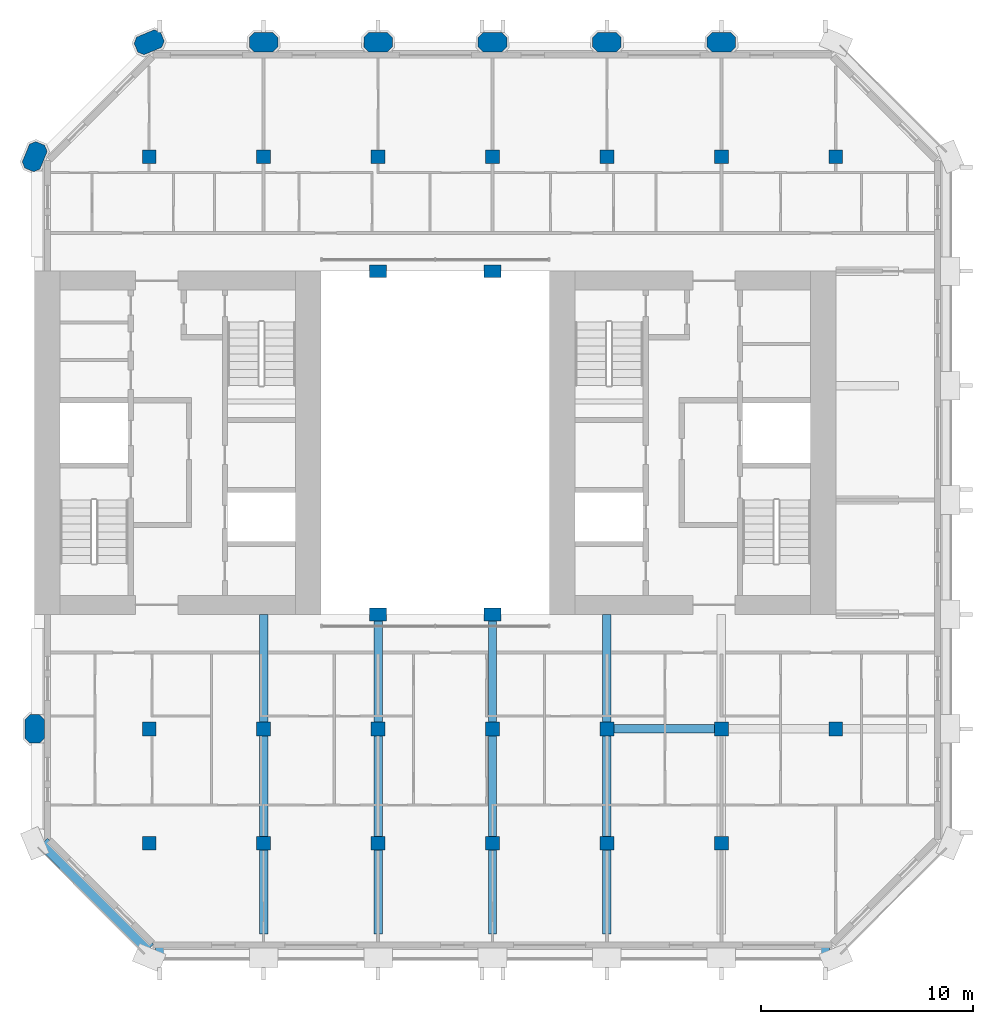
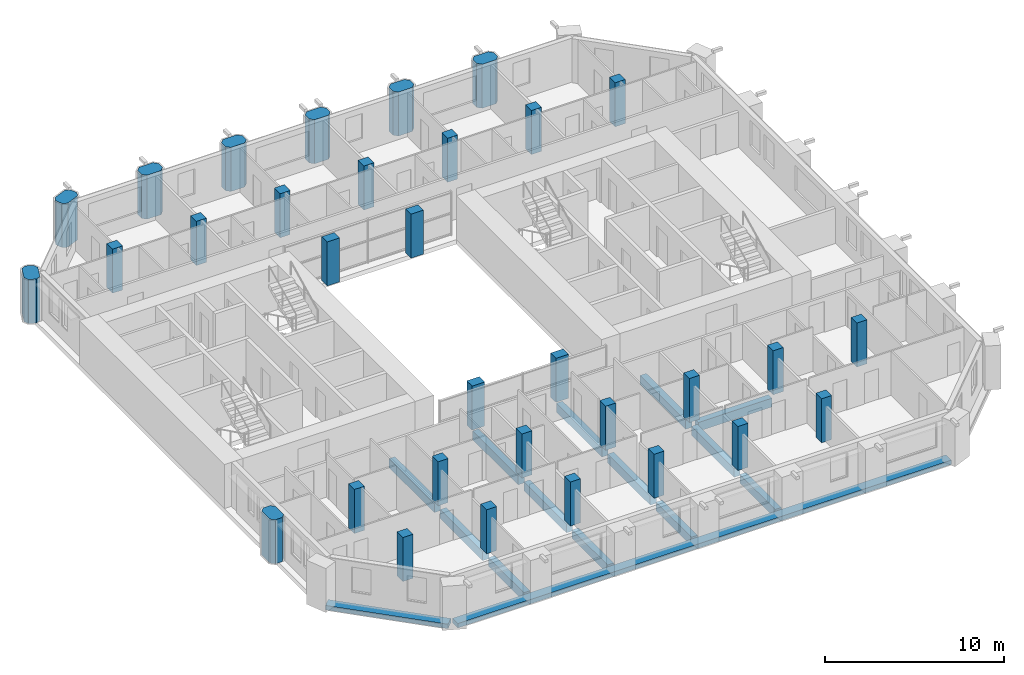
# One storey, part 1 of 14: 32 columns, 15 beams.
"""IFC4 building model written with IfcOpenShell, lengths in metres."""

from ifc_helpers import new_model, si_unit, direction, frame, origin, origin_2d, place, context, subcontext, project, spatial, polyline, rectangle, outline, extrude, material, material_profile, profile_set, type_object, element, save


model = new_model("IFC4")

# Units and contexts
model_context = context("Model", 3, precision=1e-05, world=origin(), true_north=direction((0.0, 1.0)))
body_context = subcontext(model_context, "Body", "Model", "MODEL_VIEW")
ifc_project = project(units=[si_unit("LENGTHUNIT", "METRE"), si_unit("AREAUNIT", "SQUARE_METRE"), si_unit("VOLUMEUNIT", "CUBIC_METRE"), si_unit("PLANEANGLEUNIT", "RADIAN"), si_unit("MASSUNIT", "GRAM", prefix="KILO")], contexts=[model_context])

# Site, building, storey
site_placement = place(None, origin())
site = spatial("IfcSite", under=ifc_project, at=site_placement, CompositionType="ELEMENT")
building_placement = place(site_placement, origin())
building = spatial("IfcBuilding", under=site, at=building_placement, Name="Tabaq Tower and Sports Hall", CompositionType="ELEMENT")
storey_placement = place(building_placement, frame((0.0, 0.0, 275.199951171875)))
storey = spatial("IfcBuildingStorey", under=building, at=storey_placement, Name="L67", CompositionType="ELEMENT", Elevation=275.199951171875)

# Columns
ifc_material_1 = material(Name="Concrete C40/50", Category="concrete")
ifc_material_profile_1 = material_profile(ifc_material_1, rectangle(XDim=0.800048828125, YDim=0.60009765625, at=origin_2d()), Name="ATRIUM COLUMN 800x600")
ifc_profile_set_1 = profile_set([ifc_material_profile_1], Name="Concrete C40/50")
column_type_1 = type_object("IfcColumnType", Name="RC COLUMN ATRIUM COLUMN 800x600 C40/50", PredefinedType="COLUMN", material=ifc_profile_set_1)
for number, where, z_axis, x_axis, name in (
    (1, (21.60009765625, 16.199951171875, 0.0), (0.0, 0.0, 1.0), (1.0, 0.0, 0.0), "Atrium Column 5/D L67"),
    (2, (27.0, 16.199951171875, 0.0), (0.0, 0.0, 1.0), (1.0, 0.0, 0.0), "Atrium Column 6/D L67"),
    (3, (21.60009765625, 32.39990234375, 0.0), (0.0, 0.0, 1.0), (1.0, 0.0, 0.0), "Atrium Column 5/G L67"),
    (4, (27.0, 32.39990234375, 0.0), (0.0, 0.0, 1.0), (1.0, 0.0, 0.0), "Atrium Column 6/G L67"),
):
    element("IfcColumn", number, at=place(storey_placement, frame(where, z_axis=z_axis, x_axis=x_axis)), inside=storey, type_object=column_type_1, Name=name, PredefinedType="COLUMN", context=body_context, shape_type="SweptSolid", body=[
        extrude(rectangle(XDim=0.800048828125, YDim=0.60009765625, at=origin_2d()), origin(), (0.0, 0.0, 1.0), 3.0),
    ])
ifc_material_2 = material(Name="Concrete C40/50", Category="concrete")
ifc_material_profile_2 = material_profile(ifc_material_2, rectangle(XDim=0.64990234375, YDim=0.64990234375, at=origin_2d()), Name="COLUMN 650x650")
ifc_profile_set_2 = profile_set([ifc_material_profile_2], Name="Concrete C40/50")
column_type_2 = type_object("IfcColumnType", Name="RC COLUMN COLUMN 650x650 C40/50", PredefinedType="COLUMN", material=ifc_profile_set_2)
for number, where, z_axis, x_axis, name in (
    (5, (10.800048828125, 5.39990234375, 0.0), (0.0, 0.0, 1.0), (1.0, 0.0, 0.0), "Column 3/B L67"),
    (6, (16.199951171875, 5.39990234375, 0.0), (0.0, 0.0, 1.0), (1.0, 0.0, 0.0), "Column 4/B L67"),
    (7, (21.60009765625, 5.39990234375, 0.0), (0.0, 0.0, 1.0), (1.0, 0.0, 0.0), "Column 5/B L67"),
    (8, (27.0, 5.39990234375, 0.0), (0.0, 0.0, 1.0), (1.0, 0.0, 0.0), "Column 6/B L67"),
    (9, (32.39990234375, 5.39990234375, 0.0), (0.0, 0.0, 1.0), (1.0, 0.0, 0.0), "Column 7/B L67"),
    (10, (37.800048828125, 5.39990234375, 0.0), (0.0, 0.0, 1.0), (1.0, 0.0, 0.0), "Column 8/B L67"),
    (11, (10.800048828125, 10.800048828125, 0.0), (0.0, 0.0, 1.0), (1.0, 0.0, 0.0), "Column 3/C L67"),
    (12, (16.199951171875, 10.800048828125, 0.0), (0.0, 0.0, 1.0), (1.0, 0.0, 0.0), "Column 4/C L67"),
    (13, (21.60009765625, 10.800048828125, 0.0), (0.0, 0.0, 1.0), (1.0, 0.0, 0.0), "Column 5/C L67"),
    (14, (27.0, 10.800048828125, 0.0), (0.0, 0.0, 1.0), (1.0, 0.0, 0.0), "Column 6/C L67"),
    (15, (32.39990234375, 10.800048828125, 0.0), (0.0, 0.0, 1.0), (1.0, 0.0, 0.0), "Column 7/C L67"),
    (16, (37.800048828125, 10.800048828125, 0.0), (0.0, 0.0, 1.0), (1.0, 0.0, 0.0), "Column 8/C L67"),
    (17, (43.199951171875, 10.800048828125, 0.0), (0.0, 0.0, 1.0), (1.0, 0.0, 0.0), "Column 9/C L67"),
    (18, (10.800048828125, 37.800048828125, 0.0), (0.0, 0.0, 1.0), (1.0, 0.0, 0.0), "Column 3/H L67"),
    (19, (16.199951171875, 37.800048828125, 0.0), (0.0, 0.0, 1.0), (1.0, 0.0, 0.0), "Column 4/H L67"),
    (20, (21.60009765625, 37.800048828125, 0.0), (0.0, 0.0, 1.0), (1.0, 0.0, 0.0), "Column 5/H L67"),
    (21, (27.0, 37.800048828125, 0.0), (0.0, 0.0, 1.0), (1.0, 0.0, 0.0), "Column 6/H L67"),
    (22, (32.39990234375, 37.800048828125, 0.0), (0.0, 0.0, 1.0), (1.0, 0.0, 0.0), "Column 7/H L67"),
    (23, (37.800048828125, 37.800048828125, 0.0), (0.0, 0.0, 1.0), (1.0, 0.0, 0.0), "Column 8/H L67"),
    (24, (43.199951171875, 37.800048828125, 0.0), (0.0, 0.0, 1.0), (1.0, 0.0, 0.0), "Column 9/H L67"),
):
    element("IfcColumn", number, at=place(storey_placement, frame(where, z_axis=z_axis, x_axis=x_axis)), inside=storey, type_object=column_type_2, Name=name, PredefinedType="COLUMN", context=body_context, shape_type="SweptSolid", body=[
        extrude(rectangle(XDim=0.64990234375, YDim=0.64990234375, at=origin_2d()), origin(), (0.0, 0.0, 1.0), 3.0),
    ])
ifc_material_3 = material(Name="Concrete C40/50", Category="concrete")
ifc_material_profile_3 = material_profile(ifc_material_3, outline(polyline([(-0.449951171875, -0.449951171875), (0.449951171875, -0.449951171875), (0.675048828125, -0.22509765625), (0.675048828125, 0.22509765625), (0.449951171875, 0.449951171875), (-0.449951171875, 0.449951171875), (-0.675048828125, 0.22509765625), (-0.675048828125, -0.22509765625), (-0.449951171875, -0.449951171875)])), Name="PIER 1350x900")
ifc_profile_set_3 = profile_set([ifc_material_profile_3], Name="Concrete C40/50")
column_type_3 = type_object("IfcColumnType", Name="RC COLUMN PIER 1350x900 C40/50", PredefinedType="COLUMN", material=ifc_profile_set_3)
for number, where, z_axis, x_axis, name in (
    (25, (5.39990234375, 10.800048828125, 0.0), (0.0, 0.0, 1.0), (0.0, 1.0, 0.0), "Pier 2/C L67"),
    (26, (5.39990234375, 37.800048828125, 0.0), (0.0, 0.0, 1.0), (0.382683432365, 0.923879532511, 0.0), "Pier 2/H L67"),
    (27, (10.800048828125, 43.199951171875, 0.0), (0.0, 0.0, 1.0), (0.923879532511, 0.382683432365, 0.0), "Pier 3/I L67"),
    (28, (16.199951171875, 43.199951171875, 0.0), (0.0, 0.0, 1.0), (1.0, 0.0, 0.0), "Pier 4/I L67"),
    (29, (21.60009765625, 43.199951171875, 0.0), (0.0, 0.0, 1.0), (1.0, 0.0, 0.0), "Pier 5/I L67"),
    (30, (27.0, 43.199951171875, 0.0), (0.0, 0.0, 1.0), (1.0, 0.0, 0.0), "Pier 6/I L67"),
    (31, (32.39990234375, 43.199951171875, 0.0), (0.0, 0.0, 1.0), (1.0, 0.0, 0.0), "Pier 7/I L67"),
    (32, (37.800048828125, 43.199951171875, 0.0), (0.0, 0.0, 1.0), (1.0, 0.0, 0.0), "Pier 8/I L67"),
):
    element("IfcColumn", number, at=place(storey_placement, frame(where, z_axis=z_axis, x_axis=x_axis)), inside=storey, type_object=column_type_3, Name=name, PredefinedType="COLUMN", context=body_context, shape_type="SweptSolid", body=[
        extrude(outline(polyline([(-0.449951171875, -0.449951171875), (0.449951171875, -0.449951171875), (0.675048828125, -0.22509765625), (0.675048828125, 0.22509765625), (0.449951171875, 0.449951171875), (-0.449951171875, 0.449951171875), (-0.675048828125, 0.22509765625), (-0.675048828125, -0.22509765625), (-0.449951171875, -0.449951171875)])), origin(), (0.0, 0.0, 1.0), 3.0),
    ])

# Beams
ifc_material_4 = material(Name="Concrete C40/50", Category="concrete")
ifc_material_profile_4 = material_profile(ifc_material_4, rectangle(XDim=0.39990234375, YDim=0.60009765625, at=origin_2d()), Name="CB 400x600")
ifc_profile_set_4 = profile_set([ifc_material_profile_4], Name="Concrete C40/50")
beam_type_1 = type_object("IfcBeamType", Name="PT CANTILEVER BEAM CB 400x600 C40/50", PredefinedType="BEAM", material=ifc_profile_set_4)
beam_1_placement = place(storey_placement, frame((37.47509765625, 10.800048828125, -0.599853515625), z_axis=(-1.0, 0.0, 0.0), x_axis=(0.0, -1.0, 0.0)))
element("IfcBeam", 33, at=beam_1_placement, inside=storey, type_object=beam_type_1, Name="Cantilever Beam L67 E2 span 3", PredefinedType="BEAM", context=body_context, shape_type="SweptSolid", body=[
    extrude(rectangle(XDim=0.39990234375, YDim=0.60009765625, at=origin_2d()), origin(), (0.0, 0.0, 1.0), 4.75),
])
beam_2_placement = place(storey_placement, frame((16.199951171875, 1.125, -0.599853515625), z_axis=(0.0, 1.0, 0.0), x_axis=(-1.0, 0.0, 0.0)))
element("IfcBeam", 34, at=beam_2_placement, inside=storey, type_object=beam_type_1, Name="Cantilever Beam L67 S3 span 1", PredefinedType="BEAM", context=body_context, shape_type="SweptSolid", body=[
    extrude(rectangle(XDim=0.39990234375, YDim=0.60009765625, at=origin_2d()), origin(), (0.0, 0.0, 1.0), 3.949951171875),
])
beam_3_placement = place(storey_placement, frame((16.199951171875, 5.72509765625, -0.599853515625), z_axis=(0.0, 1.0, 0.0), x_axis=(-1.0, 0.0, 0.0)))
element("IfcBeam", 35, at=beam_3_placement, inside=storey, type_object=beam_type_1, Name="Cantilever Beam L67 S3 span 2", PredefinedType="BEAM", context=body_context, shape_type="SweptSolid", body=[
    extrude(rectangle(XDim=0.39990234375, YDim=0.60009765625, at=origin_2d()), origin(), (0.0, 0.0, 1.0), 4.75),
])
beam_4_placement = place(storey_placement, frame((16.199951171875, 11.125, -0.599853515625), z_axis=(0.0, 1.0, 0.0), x_axis=(-1.0, 0.0, 0.0)))
element("IfcBeam", 36, at=beam_4_placement, inside=storey, type_object=beam_type_1, Name="Cantilever Beam L67 S3 span 3", PredefinedType="BEAM", context=body_context, shape_type="SweptSolid", body=[
    extrude(rectangle(XDim=0.39990234375, YDim=0.60009765625, at=origin_2d()), origin(), (0.0, 0.0, 1.0), 5.074951171875),
])
beam_5_placement = place(storey_placement, frame((21.60009765625, 1.125, -0.599853515625), z_axis=(0.0, 1.0, 0.0), x_axis=(-1.0, 0.0, 0.0)))
element("IfcBeam", 37, at=beam_5_placement, inside=storey, type_object=beam_type_1, Name="Cantilever Beam L67 S4 span 1", PredefinedType="BEAM", context=body_context, shape_type="SweptSolid", body=[
    extrude(rectangle(XDim=0.39990234375, YDim=0.60009765625, at=origin_2d()), origin(), (0.0, 0.0, 1.0), 3.949951171875),
])
beam_6_placement = place(storey_placement, frame((21.60009765625, 5.72509765625, -0.599853515625), z_axis=(0.0, 1.0, 0.0), x_axis=(-1.0, 0.0, 0.0)))
element("IfcBeam", 38, at=beam_6_placement, inside=storey, type_object=beam_type_1, Name="Cantilever Beam L67 S4 span 2", PredefinedType="BEAM", context=body_context, shape_type="SweptSolid", body=[
    extrude(rectangle(XDim=0.39990234375, YDim=0.60009765625, at=origin_2d()), origin(), (0.0, 0.0, 1.0), 4.75),
])
beam_7_placement = place(storey_placement, frame((21.60009765625, 11.125, -0.599853515625), z_axis=(0.0, 1.0, 0.0), x_axis=(-1.0, 0.0, 0.0)))
element("IfcBeam", 39, at=beam_7_placement, inside=storey, type_object=beam_type_1, Name="Cantilever Beam L67 S4 span 3", PredefinedType="BEAM", context=body_context, shape_type="SweptSolid", body=[
    extrude(rectangle(XDim=0.39990234375, YDim=0.60009765625, at=origin_2d()), origin(), (0.0, 0.0, 1.0), 5.074951171875),
])
beam_8_placement = place(storey_placement, frame((27.0, 1.125, -0.599853515625), z_axis=(0.0, 1.0, 0.0), x_axis=(-1.0, 0.0, 0.0)))
element("IfcBeam", 40, at=beam_8_placement, inside=storey, type_object=beam_type_1, Name="Cantilever Beam L67 S5 span 1", PredefinedType="BEAM", context=body_context, shape_type="SweptSolid", body=[
    extrude(rectangle(XDim=0.39990234375, YDim=0.60009765625, at=origin_2d()), origin(), (0.0, 0.0, 1.0), 3.949951171875),
])
beam_9_placement = place(storey_placement, frame((27.0, 5.72509765625, -0.599853515625), z_axis=(0.0, 1.0, 0.0), x_axis=(-1.0, 0.0, 0.0)))
element("IfcBeam", 41, at=beam_9_placement, inside=storey, type_object=beam_type_1, Name="Cantilever Beam L67 S5 span 2", PredefinedType="BEAM", context=body_context, shape_type="SweptSolid", body=[
    extrude(rectangle(XDim=0.39990234375, YDim=0.60009765625, at=origin_2d()), origin(), (0.0, 0.0, 1.0), 4.75),
])
beam_10_placement = place(storey_placement, frame((27.0, 11.125, -0.599853515625), z_axis=(0.0, 1.0, 0.0), x_axis=(-1.0, 0.0, 0.0)))
element("IfcBeam", 42, at=beam_10_placement, inside=storey, type_object=beam_type_1, Name="Cantilever Beam L67 S5 span 3", PredefinedType="BEAM", context=body_context, shape_type="SweptSolid", body=[
    extrude(rectangle(XDim=0.39990234375, YDim=0.60009765625, at=origin_2d()), origin(), (0.0, 0.0, 1.0), 5.074951171875),
])
beam_11_placement = place(storey_placement, frame((32.39990234375, 1.125, -0.599853515625), z_axis=(0.0, 1.0, 0.0), x_axis=(-1.0, 0.0, 0.0)))
element("IfcBeam", 43, at=beam_11_placement, inside=storey, type_object=beam_type_1, Name="Cantilever Beam L67 S6 span 1", PredefinedType="BEAM", context=body_context, shape_type="SweptSolid", body=[
    extrude(rectangle(XDim=0.39990234375, YDim=0.60009765625, at=origin_2d()), origin(), (0.0, 0.0, 1.0), 3.949951171875),
])
beam_12_placement = place(storey_placement, frame((32.39990234375, 5.72509765625, -0.599853515625), z_axis=(0.0, 1.0, 0.0), x_axis=(-1.0, 0.0, 0.0)))
element("IfcBeam", 44, at=beam_12_placement, inside=storey, type_object=beam_type_1, Name="Cantilever Beam L67 S6 span 2", PredefinedType="BEAM", context=body_context, shape_type="SweptSolid", body=[
    extrude(rectangle(XDim=0.39990234375, YDim=0.60009765625, at=origin_2d()), origin(), (0.0, 0.0, 1.0), 4.75),
])
beam_13_placement = place(storey_placement, frame((32.39990234375, 11.125, -0.599853515625), z_axis=(0.0, 1.0, 0.0), x_axis=(-1.0, 0.0, 0.0)))
element("IfcBeam", 45, at=beam_13_placement, inside=storey, type_object=beam_type_1, Name="Cantilever Beam L67 S6 span 3", PredefinedType="BEAM", context=body_context, shape_type="SweptSolid", body=[
    extrude(rectangle(XDim=0.39990234375, YDim=0.60009765625, at=origin_2d()), origin(), (0.0, 0.0, 1.0), 5.074951171875),
])
ifc_material_5 = material(Name="Concrete C40/50", Category="concrete")
ifc_material_profile_5 = material_profile(ifc_material_5, rectangle(XDim=0.60009765625, YDim=0.300048828125, at=origin_2d()), Name="EB 600x300")
ifc_profile_set_5 = profile_set([ifc_material_profile_5], Name="Concrete C40/50")
beam_type_2 = type_object("IfcBeamType", Name="PT EDGE BEAM EB 600x300 C40/50", PredefinedType="SPANDREL", material=ifc_profile_set_5)
beam_14_placement = place(storey_placement, frame((11.0986328125, 0.300048828125, -0.14990234375), z_axis=(1.0, 0.0, 0.0), x_axis=(0.0, 1.0, 0.0)))
element("IfcBeam", 46, at=beam_14_placement, inside=storey, type_object=beam_type_2, Name="Edge Beam L67 1", PredefinedType="SPANDREL", context=body_context, shape_type="SweptSolid", body=[
    extrude(rectangle(XDim=0.60009765625, YDim=0.300048828125, at=origin_2d()), origin(), (0.0, 0.0, 1.0), 31.802734375),
])
beam_15_placement = place(storey_placement, frame((5.788818359375, 5.435302734375, -0.14990234375), z_axis=(0.707124002701, -0.707089559252, 0.0), x_axis=(0.707089559252, 0.707124002701, 0.0)))
element("IfcBeam", 47, at=beam_15_placement, inside=storey, type_object=beam_type_2, Name="Edge Beam L67 5", PredefinedType="SPANDREL", context=body_context, shape_type="SweptSolid", body=[
    extrude(rectangle(XDim=0.60009765625, YDim=0.300048828125, at=origin_2d()), origin(), (0.0, 0.0, 1.0), 7.088134765625),
])

save(model, "model.ifc")
